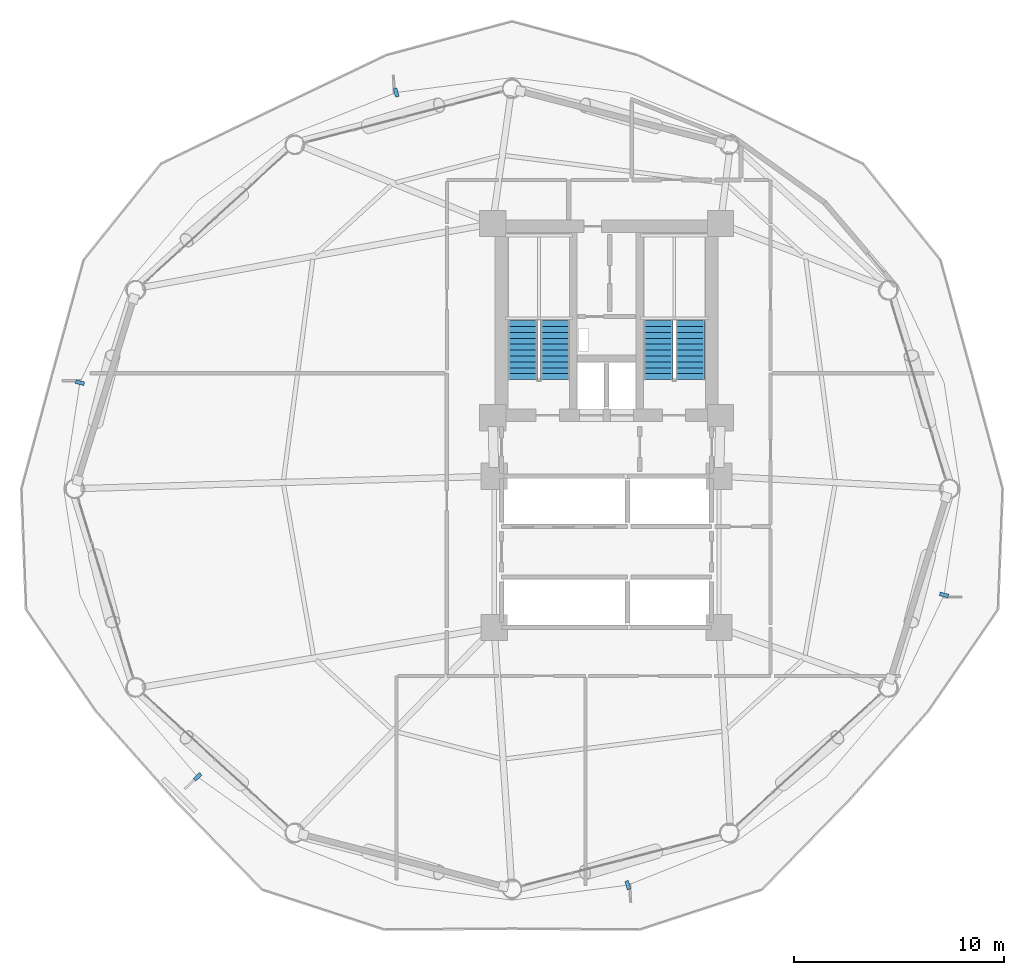
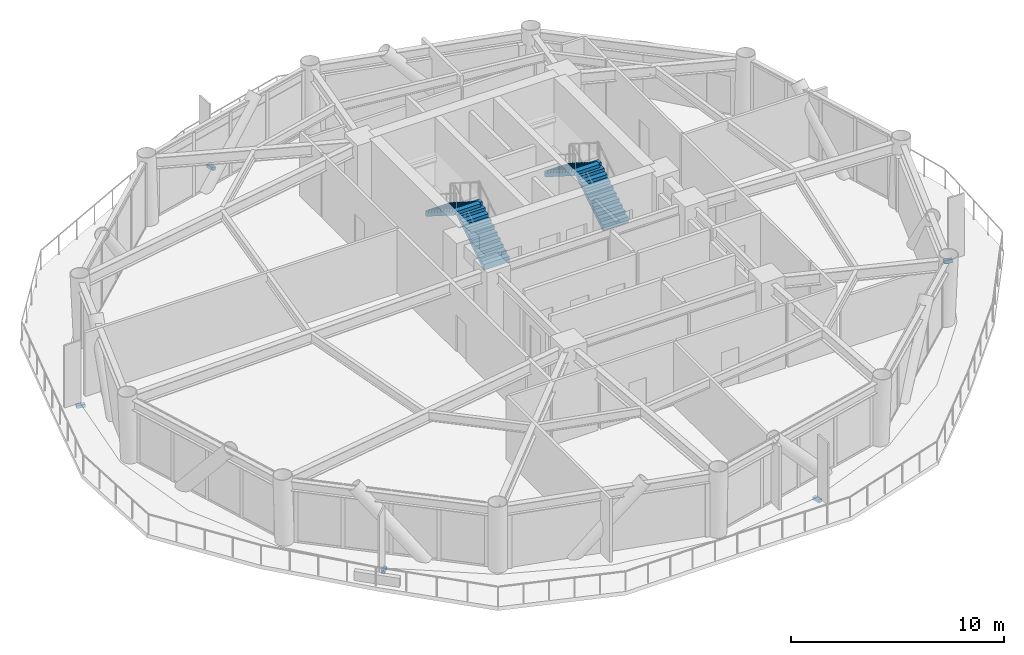
# One storey, part 21 of 24: 5 discrete accessories, 4 stair flights, 2 elements without a shape of their own.
"""IFC4 building model written with IfcOpenShell, lengths in metres."""

from ifc_helpers import new_model, si_unit, direction, frame, origin, origin_2d, place, context, subcontext, project, spatial, polyline, rectangle, outline, extrude, source, transform, mapped, material, type_object, type_shapes, element, aggregate, save


model = new_model("IFC4")

# Units and contexts
model_context = context("Model", 3, precision=1e-05, world=origin(), true_north=direction((0.0, 1.0)))
body_context = subcontext(model_context, "Body", "Model", "MODEL_VIEW")
ifc_project = project(units=[si_unit("LENGTHUNIT", "METRE"), si_unit("AREAUNIT", "SQUARE_METRE"), si_unit("VOLUMEUNIT", "CUBIC_METRE"), si_unit("PLANEANGLEUNIT", "RADIAN"), si_unit("MASSUNIT", "GRAM", prefix="KILO")], contexts=[model_context])

# Site, building, storey
site_placement = place(None, origin())
site = spatial("IfcSite", under=ifc_project, at=site_placement, CompositionType="ELEMENT")
building_placement = place(site_placement, origin())
building = spatial("IfcBuilding", under=site, at=building_placement, Name="Varnakorn Sky Granary", CompositionType="ELEMENT")
storey_placement = place(building_placement, frame((0.0, 0.0, 43.199951171875)))
storey = spatial("IfcBuildingStorey", under=building, at=storey_placement, Name="L10", CompositionType="ELEMENT", Elevation=43.199951171875)

# Stair, stair flights
ifc_material_1 = material(Name="Concrete C40/50", Category="concrete")
stair_type = type_object("IfcStairType", Name="ST-MAIN-ASSEMBLY", PredefinedType="HALF_TURN_STAIR", material=ifc_material_1)
stair_1_placement = place(storey_placement, origin())
stair_1 = element("IfcStair", 1, at=stair_1_placement, inside=storey, type_object=stair_type, Name="L10 Protected Exit Stair ST-1", PredefinedType="HALF_TURN_STAIR")
stair_flight_type = type_object("IfcStairFlightType", Name="ST-MAIN-FLIGHT", PredefinedType="STRAIGHT", material=ifc_material_1)
stair_flight_1_placement = place(storey_placement, frame((0.550048828125, 5.199951171875, 0.0), z_axis=(0.0, 0.0, 1.0), x_axis=(0.0, 1.0, 0.0)))
stair_flight_1 = element("IfcStairFlight", 2, at=stair_flight_1_placement, type_object=stair_flight_type, Name="ST-1 flight 1", NumberOfRisers=11, NumberOfTreads=10, PredefinedType="STRAIGHT", RiserHeight=0.177272727, TreadLength=0.28, context=body_context, shape_type="SweptSolid", body=[
    extrude(outline(polyline([(0.0, -0.14990234375), (0.0, 0.0), (0.0, 0.17724609375), (0.280029296875, 0.17724609375), (0.280029296875, 0.3544921875), (0.56005859375, 0.3544921875), (0.56005859375, 0.53173828125), (0.840087890625, 0.53173828125), (0.840087890625, 0.708984375), (1.1201171875, 0.708984375), (1.1201171875, 0.886474609375), (1.39990234375, 0.886474609375), (1.39990234375, 1.063720703125), (1.679931640625, 1.063720703125), (1.679931640625, 1.240966796875), (1.9599609375, 1.240966796875), (1.9599609375, 1.418212890625), (2.239990234375, 1.418212890625), (2.239990234375, 1.595458984375), (2.52001953125, 1.595458984375), (2.52001953125, 1.772705078125), (2.800048828125, 1.772705078125), (2.800048828125, 1.949951171875), (2.800048828125, 1.59521484375), (0.050048828125, -0.14990234375), (0.0, -0.14990234375)])), frame((0.0, 0.68994140625, 0.0), z_axis=(0.0, -1.0, 0.0), x_axis=(1.0, 0.0, 0.0)), (0.0, 0.0, 1.0), 1.3798828125),
])
stair_flight_2_placement = place(storey_placement, frame((-0.97998046875, 8.0, 1.949951171875), z_axis=(0.0, 0.0, 1.0), x_axis=(0.0, -1.0, 0.0)))
stair_flight_2 = element("IfcStairFlight", 3, at=stair_flight_2_placement, type_object=stair_flight_type, Name="ST-1 flight 2", NumberOfRisers=11, NumberOfTreads=10, PredefinedType="STRAIGHT", RiserHeight=0.177272727, TreadLength=0.28, context=body_context, shape_type="SweptSolid", body=[
    extrude(outline(polyline([(0.0, -0.14990234375), (0.0, 0.0), (0.0, 0.17724609375), (0.280029296875, 0.17724609375), (0.280029296875, 0.3544921875), (0.56005859375, 0.3544921875), (0.56005859375, 0.53173828125), (0.840087890625, 0.53173828125), (0.840087890625, 0.708984375), (1.1201171875, 0.708984375), (1.1201171875, 0.886474609375), (1.39990234375, 0.886474609375), (1.39990234375, 1.063720703125), (1.679931640625, 1.063720703125), (1.679931640625, 1.240966796875), (1.9599609375, 1.240966796875), (1.9599609375, 1.418212890625), (2.239990234375, 1.418212890625), (2.239990234375, 1.595458984375), (2.52001953125, 1.595458984375), (2.52001953125, 1.772705078125), (2.800048828125, 1.772705078125), (2.800048828125, 1.949951171875), (2.800048828125, 1.59521484375), (0.050048828125, -0.14990234375), (0.0, -0.14990234375)])), frame((0.0, 0.68994140625, 0.0), z_axis=(0.0, -1.0, 0.0), x_axis=(1.0, 0.0, 0.0)), (0.0, 0.0, 1.0), 1.3798828125),
])
aggregate(stair_1, [stair_flight_1, stair_flight_2])

stair_2_placement = place(storey_placement, origin())
stair_2 = element("IfcStair", 4, at=stair_2_placement, inside=storey, type_object=stair_type, Name="L10 Protected Exit Stair ST-2", PredefinedType="HALF_TURN_STAIR")
stair_flight_3_placement = place(storey_placement, frame((6.989990234375, 5.199951171875, 0.0), z_axis=(0.0, 0.0, 1.0), x_axis=(0.0, 1.0, 0.0)))
stair_flight_3 = element("IfcStairFlight", 5, at=stair_flight_3_placement, type_object=stair_flight_type, Name="ST-2 flight 1", NumberOfRisers=11, NumberOfTreads=10, PredefinedType="STRAIGHT", RiserHeight=0.177272727, TreadLength=0.28, context=body_context, shape_type="SweptSolid", body=[
    extrude(outline(polyline([(0.0, -0.14990234375), (0.0, 0.0), (0.0, 0.17724609375), (0.280029296875, 0.17724609375), (0.280029296875, 0.3544921875), (0.56005859375, 0.3544921875), (0.56005859375, 0.53173828125), (0.840087890625, 0.53173828125), (0.840087890625, 0.708984375), (1.1201171875, 0.708984375), (1.1201171875, 0.886474609375), (1.39990234375, 0.886474609375), (1.39990234375, 1.063720703125), (1.679931640625, 1.063720703125), (1.679931640625, 1.240966796875), (1.9599609375, 1.240966796875), (1.9599609375, 1.418212890625), (2.239990234375, 1.418212890625), (2.239990234375, 1.595458984375), (2.52001953125, 1.595458984375), (2.52001953125, 1.772705078125), (2.800048828125, 1.772705078125), (2.800048828125, 1.949951171875), (2.800048828125, 1.59521484375), (0.050048828125, -0.14990234375), (0.0, -0.14990234375)])), frame((0.0, 0.68994140625, 0.0), z_axis=(0.0, -1.0, 0.0), x_axis=(1.0, 0.0, 0.0)), (0.0, 0.0, 1.0), 1.3798828125),
])
stair_flight_4_placement = place(storey_placement, frame((5.4599609375, 8.0, 1.949951171875), z_axis=(0.0, 0.0, 1.0), x_axis=(0.0, -1.0, 0.0)))
stair_flight_4 = element("IfcStairFlight", 6, at=stair_flight_4_placement, type_object=stair_flight_type, Name="ST-2 flight 2", NumberOfRisers=11, NumberOfTreads=10, PredefinedType="STRAIGHT", RiserHeight=0.177272727, TreadLength=0.28, context=body_context, shape_type="SweptSolid", body=[
    extrude(outline(polyline([(0.0, -0.14990234375), (0.0, 0.0), (0.0, 0.17724609375), (0.280029296875, 0.17724609375), (0.280029296875, 0.3544921875), (0.56005859375, 0.3544921875), (0.56005859375, 0.53173828125), (0.840087890625, 0.53173828125), (0.840087890625, 0.708984375), (1.1201171875, 0.708984375), (1.1201171875, 0.886474609375), (1.39990234375, 0.886474609375), (1.39990234375, 1.063720703125), (1.679931640625, 1.063720703125), (1.679931640625, 1.240966796875), (1.9599609375, 1.240966796875), (1.9599609375, 1.418212890625), (2.239990234375, 1.418212890625), (2.239990234375, 1.595458984375), (2.52001953125, 1.595458984375), (2.52001953125, 1.772705078125), (2.800048828125, 1.772705078125), (2.800048828125, 1.949951171875), (2.800048828125, 1.59521484375), (0.050048828125, -0.14990234375), (0.0, -0.14990234375)])), frame((0.0, 0.68994140625, 0.0), z_axis=(0.0, -1.0, 0.0), x_axis=(1.0, 0.0, 0.0)), (0.0, 0.0, 1.0), 1.3798828125),
])
aggregate(stair_2, [stair_flight_3, stair_flight_4])

# Discrete accessories
ifc_material_2 = material(Name="Steel S355JR", Category="steel")
discrete_accessory_type = type_object("IfcDiscreteAccessoryType", Name="AC-BRK-01", PredefinedType="BRACKET", material=ifc_material_2)
shared_shape = source(origin(), body_context, "Body", "SweptSolid", [
    extrude(rectangle(XDim=0.179931640625, YDim=0.419921875, at=origin_2d()), origin(), (0.0, 0.0, 1.0), 0.179931640625),
])
type_shapes(discrete_accessory_type, [shared_shape])
for number, where, z_axis, x_axis, name in (
    (7, (-7.01220703125, 18.85791015625, -0.19970703125), (0.0, 0.0, 1.0), (-0.959838094911, -0.280554507283, 0.0), "Facade Solar-Screen Outrigger Bracket L10-04"),
    (8, (-22.062255859375, 5.05078125, -0.19970703125), (0.0, 0.0, 1.0), (-0.238539274182, -0.971132851196, 0.0), "Facade Solar-Screen Outrigger Bracket L10-06"),
    (9, (-16.46044921875, -13.706298828125, -0.19970703125), (0.0, 0.0, 1.0), (0.675525913163, -0.737336246664, 0.0), "Facade Solar-Screen Outrigger Bracket L10-08"),
    (10, (4.01220703125, -18.85791015625, -0.19970703125), (0.0, 0.0, 1.0), (0.959838094911, 0.280554507283, 0.0), "Facade Solar-Screen Outrigger Bracket L10-10"),
    (11, (19.062255859375, -5.05078125, -0.19970703125), (0.0, 0.0, 1.0), (0.238539274182, 0.971132851196, 0.0), "Facade Solar-Screen Outrigger Bracket L10-12"),
):
    element("IfcDiscreteAccessory", number, at=place(storey_placement, frame(where, z_axis=z_axis, x_axis=x_axis)), inside=storey, type_object=discrete_accessory_type, Name=name, PredefinedType="BRACKET", context=body_context, shape_type="MappedRepresentation", body=[
        mapped(shared_shape, transform((0.0, 0.0, 0.0), x_axis=(1.0, 0.0, 0.0), y_axis=(0.0, 1.0, 0.0), z_axis=(0.0, 0.0, 1.0), scale=1.0)),
    ])

save(model, "model.ifc")
